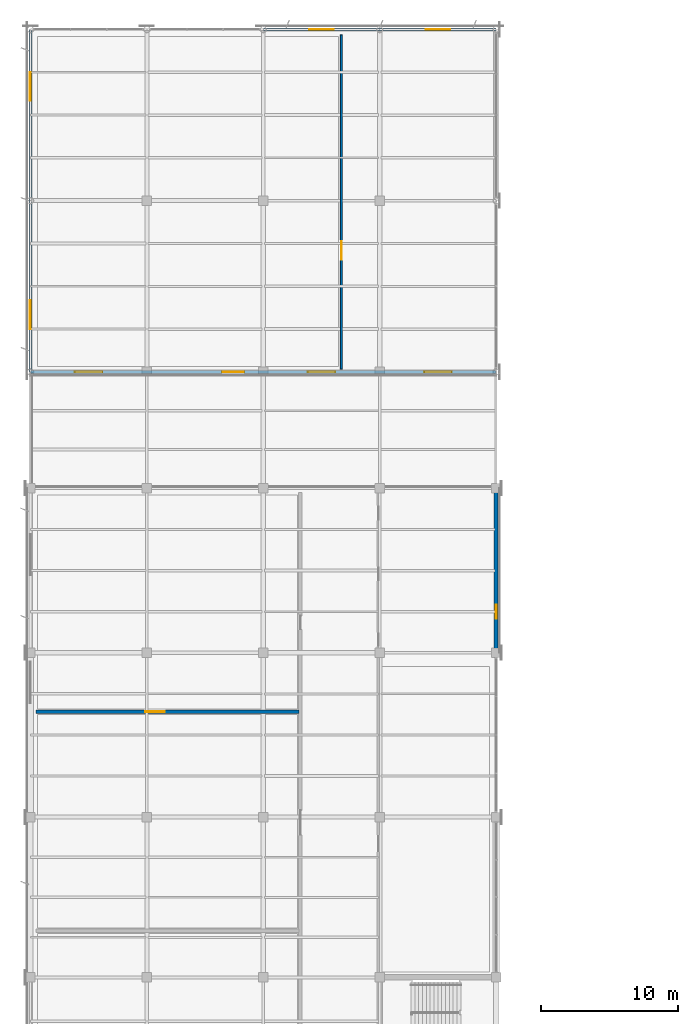
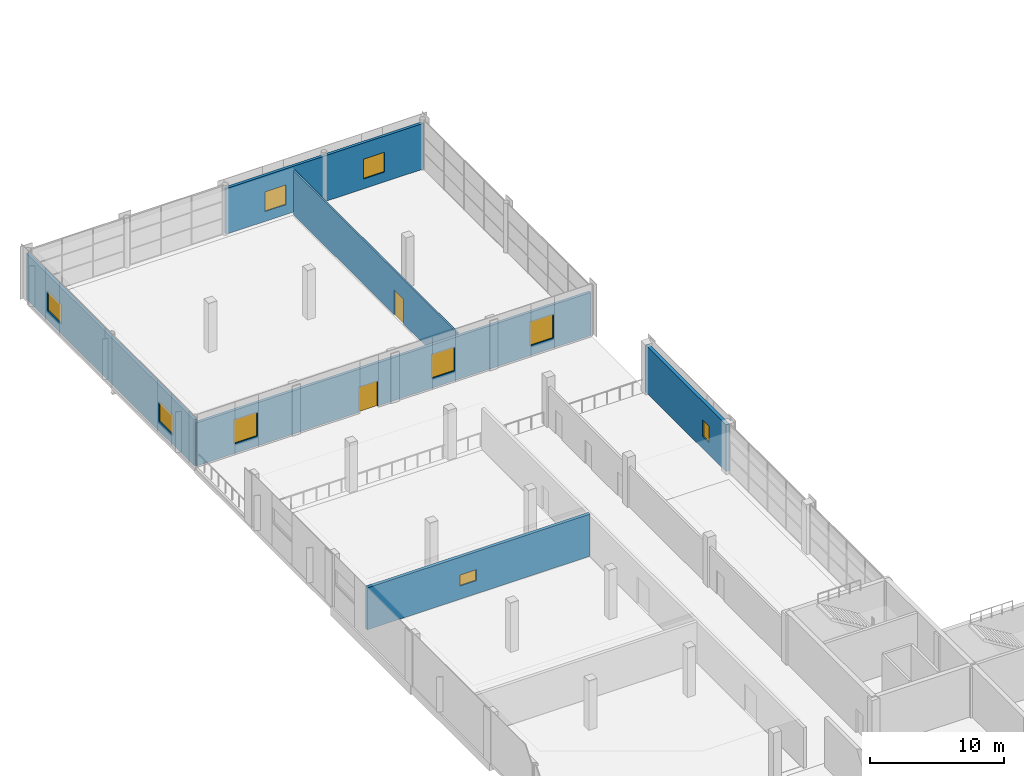
# One storey, part 85 of 101: 9 windows, 6 walls, 2 doors, 11 openings.
"""IFC4 building model written with IfcOpenShell, lengths in metres."""

from ifc_helpers import new_model, si_unit, direction, frame, frame_2d, origin, place, context, subcontext, project, spatial, rectangle, extrude, material, layer, layer_set, type_object, element, fill, save


model = new_model("IFC4")

# Units and contexts
model_context = context("Model", 3, precision=1e-05, world=origin(), true_north=direction((0.0, 1.0)))
body_context = subcontext(model_context, "Body", "Model", "MODEL_VIEW")
ifc_project = project(units=[si_unit("LENGTHUNIT", "METRE"), si_unit("AREAUNIT", "SQUARE_METRE"), si_unit("VOLUMEUNIT", "CUBIC_METRE"), si_unit("PLANEANGLEUNIT", "RADIAN"), si_unit("MASSUNIT", "GRAM", prefix="KILO")], contexts=[model_context])

# Site, building, storey
site_placement = place(None, origin())
site = spatial("IfcSite", under=ifc_project, at=site_placement, CompositionType="ELEMENT")
building_placement = place(site_placement, origin())
building = spatial("IfcBuilding", under=site, at=building_placement, Name="Solvikara Media Centre", CompositionType="ELEMENT")
storey_placement = place(building_placement, frame((0.0, 0.0, 10.199951171875)))
storey = spatial("IfcBuildingStorey", under=building, at=storey_placement, Name="L02", CompositionType="ELEMENT", Elevation=10.199951171875)

# Wall, opening, window
ifc_material_1 = material(Name="Precast concrete fc' 40 MPa (C40/50)", Category="concrete")
ifc_layer_1 = layer(ifc_material_1, 0.2900390625)
ifc_layer_set_1 = layer_set([ifc_layer_1], Name="Precast concrete fc' 40 MPa (C40/50)")
wall_type_1 = type_object("IfcWallType", Name="WT-11", PredefinedType="STANDARD", material=ifc_layer_set_1)
wall_1_placement = place(storey_placement, frame((34.0, 68.5, 0.0), z_axis=(0.0, 0.0, 1.0), x_axis=(0.0, 1.0, 0.0)))
wall_1 = element("IfcWall", 1, at=wall_1_placement, inside=storey, type_object=wall_type_1, Name="EW-L02-V4-E", PredefinedType="STANDARD", context=body_context, shape_type="SweptSolid", body=[
    extrude(rectangle(XDim=12.0, YDim=0.2900390625, at=frame_2d((6.0, 0.0))), origin(), (0.0, 0.0, 1.0), 4.278076171875),
])
opening_1_placement = place(wall_1_placement, frame((2.5, 0.0, 1.10009765625)))
opening_1 = element("IfcOpeningElement", 2, at=opening_1_placement, cuts=wall_1, Name="Opening W-L02-V4E-W01", PredefinedType="OPENING", context=body_context, shape_type="SweptSolid", body=[
    extrude(rectangle(XDim=1.0, YDim=1.5, at=frame_2d((0.5, 0.75))), frame((0.0, 0.156982421875, 0.0), z_axis=(0.0, -1.0, 0.0), x_axis=(1.0, 0.0, 0.0)), (0.0, 0.0, 1.0), 0.31396484375),
])
ifc_material_2 = material(Name="Double-glazed low-E architectural glass", Category="glass")
window_type_1 = type_object("IfcWindowType", Name="WN-11", PartitioningType="SINGLE_PANEL", PredefinedType="WINDOW", material=ifc_material_2)
window_1_placement = place(opening_1_placement, origin())
window_1 = element("IfcWindow", 3, at=window_1_placement, inside=storey, type_object=window_type_1, Name="W-L02-V4E-W01", OverallHeight=1.5, OverallWidth=1.0, PartitioningType="SINGLE_PANEL", PredefinedType="WINDOW", context=body_context, shape_type="SweptSolid", body=[
    extrude(rectangle(XDim=1.0, YDim=1.5, at=frame_2d((0.5, 0.75))), frame((0.0, 0.030029296875, 0.0), z_axis=(0.0, -1.0, 0.0), x_axis=(1.0, 0.0, 0.0)), (0.0, 0.0, 1.0), 0.06005859375),
])
fill(opening_1, window_1)

# Wall, openings, windows
ifc_layer_2 = layer(ifc_material_1, 0.239990234375)
ifc_layer_set_2 = layer_set([ifc_layer_2], Name="Precast concrete fc' 40 MPa (C40/50)")
wall_type_2 = type_object("IfcWallType", Name="WT-13", PredefinedType="STANDARD", material=ifc_layer_set_2)
wall_2_placement = place(storey_placement, frame((0.0, 89.0, 0.0), z_axis=(0.0, 0.0, 1.0), x_axis=(0.0, 1.0, 0.0)))
wall_2 = element("IfcWall", 4, at=wall_2_placement, inside=storey, type_object=wall_type_2, Name="EW-L02-V3-W", PredefinedType="STANDARD", context=body_context, shape_type="SweptSolid", body=[
    extrude(rectangle(XDim=25.0, YDim=0.239990234375, at=frame_2d((12.5, 0.0))), origin(), (0.0, 0.0, 1.0), 4.197998046875),
])
opening_2_placement = place(wall_2_placement, frame((3.116943359375, 0.0, 0.89990234375)))
opening_2 = element("IfcOpeningElement", 5, at=opening_2_placement, cuts=wall_2, Name="Opening W-L02-V3W-W01", PredefinedType="OPENING", context=body_context, shape_type="SweptSolid", body=[
    extrude(rectangle(XDim=2.10009765625, YDim=1.800048828125, at=frame_2d((1.050048828125, 0.89990234375))), frame((0.0, 0.1318359375, 0.0), z_axis=(0.0, -1.0, 0.0), x_axis=(1.0, 0.0, 0.0)), (0.0, 0.0, 1.0), 0.263916015625),
])
opening_3_placement = place(wall_2_placement, frame((19.782958984375, 0.0, 0.89990234375)))
opening_3 = element("IfcOpeningElement", 6, at=opening_3_placement, cuts=wall_2, Name="Opening W-L02-V3W-W03", PredefinedType="OPENING", context=body_context, shape_type="SweptSolid", body=[
    extrude(rectangle(XDim=2.10009765625, YDim=1.800048828125, at=frame_2d((1.050048828125, 0.89990234375))), frame((0.0, 0.1318359375, 0.0), z_axis=(0.0, -1.0, 0.0), x_axis=(1.0, 0.0, 0.0)), (0.0, 0.0, 1.0), 0.263916015625),
])
window_type_2 = type_object("IfcWindowType", Name="WN-04", PartitioningType="SINGLE_PANEL", PredefinedType="WINDOW", material=ifc_material_2)
window_2_placement = place(opening_2_placement, origin())
window_2 = element("IfcWindow", 7, at=window_2_placement, inside=storey, type_object=window_type_2, Name="W-L02-V3W-W01", OverallHeight=1.800048828125, OverallWidth=2.10009765625, PartitioningType="SINGLE_PANEL", PredefinedType="WINDOW", context=body_context, shape_type="SweptSolid", body=[
    extrude(rectangle(XDim=2.10009765625, YDim=1.800048828125, at=frame_2d((1.050048828125, 0.89990234375))), frame((0.0, 0.030029296875, 0.0), z_axis=(0.0, -1.0, 0.0), x_axis=(1.0, 0.0, 0.0)), (0.0, 0.0, 1.0), 0.06005859375),
])
fill(opening_2, window_2)
window_3_placement = place(opening_3_placement, origin())
window_3 = element("IfcWindow", 8, at=window_3_placement, inside=storey, type_object=window_type_2, Name="W-L02-V3W-W03", OverallHeight=1.800048828125, OverallWidth=2.10009765625, PartitioningType="SINGLE_PANEL", PredefinedType="WINDOW", context=body_context, shape_type="SweptSolid", body=[
    extrude(rectangle(XDim=2.10009765625, YDim=1.800048828125, at=frame_2d((1.050048828125, 0.89990234375))), frame((0.0, 0.030029296875, 0.0), z_axis=(0.0, -1.0, 0.0), x_axis=(1.0, 0.0, 0.0)), (0.0, 0.0, 1.0), 0.06005859375),
])
fill(opening_3, window_3)

wall_3_placement = place(storey_placement, frame((17.0, 114.0, 0.0), z_axis=(0.0, 0.0, 1.0), x_axis=(1.0, 0.0, 0.0)))
wall_3 = element("IfcWall", 9, at=wall_3_placement, inside=storey, type_object=wall_type_2, Name="EW-L02-V3-N", PredefinedType="STANDARD", context=body_context, shape_type="SweptSolid", body=[
    extrude(rectangle(XDim=17.0, YDim=0.239990234375, at=frame_2d((8.5, 0.0))), origin(), (0.0, 0.0, 1.0), 4.16796875),
])
opening_4_placement = place(wall_3_placement, frame((3.35009765625, 0.0, 0.89990234375)))
opening_4 = element("IfcOpeningElement", 10, at=opening_4_placement, cuts=wall_3, Name="Opening W-L02-V3N-W01", PredefinedType="OPENING", context=body_context, shape_type="SweptSolid", body=[
    extrude(rectangle(XDim=1.800048828125, YDim=1.800048828125, at=frame_2d((0.89990234375, 0.89990234375))), frame((0.0, 0.1318359375, 0.0), z_axis=(0.0, -1.0, 0.0), x_axis=(1.0, 0.0, 0.0)), (0.0, 0.0, 1.0), 0.263916015625),
])
opening_5_placement = place(wall_3_placement, frame((11.85009765625, 0.0, 0.89990234375)))
opening_5 = element("IfcOpeningElement", 11, at=opening_5_placement, cuts=wall_3, Name="Opening W-L02-V3N-W02", PredefinedType="OPENING", context=body_context, shape_type="SweptSolid", body=[
    extrude(rectangle(XDim=1.800048828125, YDim=1.800048828125, at=frame_2d((0.89990234375, 0.89990234375))), frame((0.0, 0.1318359375, 0.0), z_axis=(0.0, -1.0, 0.0), x_axis=(1.0, 0.0, 0.0)), (0.0, 0.0, 1.0), 0.263916015625),
])
window_type_3 = type_object("IfcWindowType", Name="WN-03", PartitioningType="SINGLE_PANEL", PredefinedType="WINDOW", material=ifc_material_2)
window_4_placement = place(opening_4_placement, origin())
window_4 = element("IfcWindow", 12, at=window_4_placement, inside=storey, type_object=window_type_3, Name="W-L02-V3N-W01", OverallHeight=1.800048828125, OverallWidth=1.800048828125, PartitioningType="SINGLE_PANEL", PredefinedType="WINDOW", context=body_context, shape_type="SweptSolid", body=[
    extrude(rectangle(XDim=1.800048828125, YDim=1.800048828125, at=frame_2d((0.89990234375, 0.89990234375))), frame((0.0, 0.030029296875, 0.0), z_axis=(0.0, -1.0, 0.0), x_axis=(1.0, 0.0, 0.0)), (0.0, 0.0, 1.0), 0.06005859375),
])
fill(opening_4, window_4)
window_5_placement = place(opening_5_placement, origin())
window_5 = element("IfcWindow", 13, at=window_5_placement, inside=storey, type_object=window_type_3, Name="W-L02-V3N-W02", OverallHeight=1.800048828125, OverallWidth=1.800048828125, PartitioningType="SINGLE_PANEL", PredefinedType="WINDOW", context=body_context, shape_type="SweptSolid", body=[
    extrude(rectangle(XDim=1.800048828125, YDim=1.800048828125, at=frame_2d((0.89990234375, 0.89990234375))), frame((0.0, 0.030029296875, 0.0), z_axis=(0.0, -1.0, 0.0), x_axis=(1.0, 0.0, 0.0)), (0.0, 0.0, 1.0), 0.06005859375),
])
fill(opening_5, window_5)

# Wall, openings, door, windows
wall_4_placement = place(storey_placement, frame((0.0, 89.0, 0.0), z_axis=(0.0, 0.0, 1.0), x_axis=(1.0, 0.0, 0.0)))
wall_4 = element("IfcWall", 14, at=wall_4_placement, inside=storey, type_object=wall_type_2, Name="EW-L02-V3-TER", PredefinedType="STANDARD", context=body_context, shape_type="SweptSolid", body=[
    extrude(rectangle(XDim=34.0, YDim=0.239990234375, at=frame_2d((17.0, 0.0))), origin(), (0.0, 0.0, 1.0), 3.929931640625),
])
opening_6_placement = place(wall_4_placement, frame((14.0, 0.0, 0.0)))
opening_6 = element("IfcOpeningElement", 15, at=opening_6_placement, cuts=wall_4, Name="Opening TD-L02-V3", PredefinedType="OPENING", context=body_context, shape_type="SweptSolid", body=[
    extrude(rectangle(XDim=1.60009765625, YDim=2.300048828125, at=frame_2d((0.800048828125, 1.14990234375))), frame((0.0, 0.1318359375, 0.0), z_axis=(0.0, -1.0, 0.0), x_axis=(1.0, 0.0, 0.0)), (0.0, 0.0, 1.0), 0.263916015625),
])
opening_7_placement = place(wall_4_placement, frame((3.25, 0.0, 0.89990234375)))
opening_7 = element("IfcOpeningElement", 16, at=opening_7_placement, cuts=wall_4, Name="Opening W-L02-V3S-W01", PredefinedType="OPENING", context=body_context, shape_type="SweptSolid", body=[
    extrude(rectangle(XDim=2.0, YDim=2.199951171875, at=frame_2d((1.0, 1.10009765625))), frame((0.0, 0.1318359375, 0.0), z_axis=(0.0, -1.0, 0.0), x_axis=(1.0, 0.0, 0.0)), (0.0, 0.0, 1.0), 0.263916015625),
])
opening_8_placement = place(wall_4_placement, frame((20.25, 0.0, 0.89990234375)))
opening_8 = element("IfcOpeningElement", 17, at=opening_8_placement, cuts=wall_4, Name="Opening W-L02-V3S-W03", PredefinedType="OPENING", context=body_context, shape_type="SweptSolid", body=[
    extrude(rectangle(XDim=2.0, YDim=2.199951171875, at=frame_2d((1.0, 1.10009765625))), frame((0.0, 0.1318359375, 0.0), z_axis=(0.0, -1.0, 0.0), x_axis=(1.0, 0.0, 0.0)), (0.0, 0.0, 1.0), 0.263916015625),
])
opening_9_placement = place(wall_4_placement, frame((28.75, 0.0, 0.89990234375)))
opening_9 = element("IfcOpeningElement", 18, at=opening_9_placement, cuts=wall_4, Name="Opening W-L02-V3S-W04", PredefinedType="OPENING", context=body_context, shape_type="SweptSolid", body=[
    extrude(rectangle(XDim=2.0, YDim=2.199951171875, at=frame_2d((1.0, 1.10009765625))), frame((0.0, 0.1318359375, 0.0), z_axis=(0.0, -1.0, 0.0), x_axis=(1.0, 0.0, 0.0)), (0.0, 0.0, 1.0), 0.263916015625),
])
ifc_material_3 = material(Name="Anodised aluminium EN AW-6063", Category="aluminium")
door_type_1 = type_object("IfcDoorType", Name="DT-04", OperationType="DOUBLE_DOOR_SINGLE_SWING", PredefinedType="DOOR", material=ifc_material_3)
door_1_placement = place(opening_6_placement, frame((1.60009765625, 0.0, 0.0), z_axis=(0.0, 0.0, 1.0), x_axis=(-1.0, 0.0, 0.0)))
door_1 = element("IfcDoor", 19, at=door_1_placement, inside=storey, type_object=door_type_1, Name="TD-L02-V3", OperationType="DOUBLE_DOOR_SINGLE_SWING", OverallHeight=2.300048828125, OverallWidth=1.60009765625, PredefinedType="DOOR", context=body_context, shape_type="SweptSolid", body=[
    extrude(rectangle(XDim=1.60009765625, YDim=2.300048828125, at=frame_2d((0.800048828125, 1.14990234375))), frame((0.0, 0.02490234375, 0.0), z_axis=(0.0, -1.0, 0.0), x_axis=(1.0, 0.0, 0.0)), (0.0, 0.0, 1.0), 0.050048828125),
])
fill(opening_6, door_1)
window_type_4 = type_object("IfcWindowType", Name="WN-08", PartitioningType="SINGLE_PANEL", PredefinedType="WINDOW", material=ifc_material_2)
window_6_placement = place(opening_7_placement, origin())
window_6 = element("IfcWindow", 20, at=window_6_placement, inside=storey, type_object=window_type_4, Name="W-L02-V3S-W01", OverallHeight=2.199951171875, OverallWidth=2.0, PartitioningType="SINGLE_PANEL", PredefinedType="WINDOW", context=body_context, shape_type="SweptSolid", body=[
    extrude(rectangle(XDim=2.0, YDim=2.199951171875, at=frame_2d((1.0, 1.10009765625))), frame((0.0, 0.030029296875, 0.0), z_axis=(0.0, -1.0, 0.0), x_axis=(1.0, 0.0, 0.0)), (0.0, 0.0, 1.0), 0.06005859375),
])
fill(opening_7, window_6)
window_7_placement = place(opening_8_placement, origin())
window_7 = element("IfcWindow", 21, at=window_7_placement, inside=storey, type_object=window_type_4, Name="W-L02-V3S-W03", OverallHeight=2.199951171875, OverallWidth=2.0, PartitioningType="SINGLE_PANEL", PredefinedType="WINDOW", context=body_context, shape_type="SweptSolid", body=[
    extrude(rectangle(XDim=2.0, YDim=2.199951171875, at=frame_2d((1.0, 1.10009765625))), frame((0.0, 0.030029296875, 0.0), z_axis=(0.0, -1.0, 0.0), x_axis=(1.0, 0.0, 0.0)), (0.0, 0.0, 1.0), 0.06005859375),
])
fill(opening_8, window_7)
window_8_placement = place(opening_9_placement, origin())
window_8 = element("IfcWindow", 22, at=window_8_placement, inside=storey, type_object=window_type_4, Name="W-L02-V3S-W04", OverallHeight=2.199951171875, OverallWidth=2.0, PartitioningType="SINGLE_PANEL", PredefinedType="WINDOW", context=body_context, shape_type="SweptSolid", body=[
    extrude(rectangle(XDim=2.0, YDim=2.199951171875, at=frame_2d((1.0, 1.10009765625))), frame((0.0, 0.030029296875, 0.0), z_axis=(0.0, -1.0, 0.0), x_axis=(1.0, 0.0, 0.0)), (0.0, 0.0, 1.0), 0.06005859375),
])
fill(opening_9, window_8)

# Wall, opening, window
ifc_material_4 = material(Name="Double-stud acoustic gypsum partition assembly")
ifc_layer_3 = layer(ifc_material_4, 0.27001953125)
ifc_layer_set_3 = layer_set([ifc_layer_3], Name="Double-stud acoustic gypsum partition assembly")
wall_type_3 = type_object("IfcWallType", Name="WT-16", PredefinedType="PARTITIONING", material=ifc_layer_set_3)
wall_5_placement = place(storey_placement, frame((0.39990234375, 64.199951171875, 0.0), z_axis=(0.0, 0.0, 1.0), x_axis=(1.0, 0.0, 0.0)))
wall_5 = element("IfcWall", 23, at=wall_5_placement, inside=storey, type_object=wall_type_3, Name="PW-L02-062", PredefinedType="PARTITIONING", context=body_context, shape_type="SweptSolid", body=[
    extrude(rectangle(XDim=19.2001953125, YDim=0.27001953125, at=frame_2d((9.60009765625, 0.0))), origin(), (0.0, 0.0, 1.0), 3.828125),
])
opening_10_placement = place(wall_5_placement, frame((8.0, 0.0, 1.199951171875)))
opening_10 = element("IfcOpeningElement", 24, at=opening_10_placement, cuts=wall_5, Name="Opening WI-L02-062-1", PredefinedType="OPENING", context=body_context, shape_type="SweptSolid", body=[
    extrude(rectangle(XDim=1.39990234375, YDim=1.0, at=frame_2d((0.699951171875, 0.5))), frame((0.0, 0.14697265625, 0.0), z_axis=(0.0, -1.0, 0.0), x_axis=(1.0, 0.0, 0.0)), (0.0, 0.0, 1.0), 0.2939453125),
])
window_type_5 = type_object("IfcWindowType", Name="WN-15", PartitioningType="SINGLE_PANEL", PredefinedType="WINDOW", material=ifc_material_2)
window_9_placement = place(opening_10_placement, origin())
window_9 = element("IfcWindow", 25, at=window_9_placement, inside=storey, type_object=window_type_5, Name="WI-L02-062-1", OverallHeight=1.0, OverallWidth=1.39990234375, PartitioningType="SINGLE_PANEL", PredefinedType="WINDOW", context=body_context, shape_type="SweptSolid", body=[
    extrude(rectangle(XDim=1.39990234375, YDim=1.0, at=frame_2d((0.699951171875, 0.5))), frame((0.0, 0.030029296875, 0.0), z_axis=(0.0, -1.0, 0.0), x_axis=(1.0, 0.0, 0.0)), (0.0, 0.0, 1.0), 0.06005859375),
])
fill(opening_10, window_9)

# Wall, opening, door
ifc_layer_4 = layer(ifc_material_4, 0.139892578125)
ifc_layer_set_4 = layer_set([ifc_layer_4], Name="Double-stud acoustic gypsum partition assembly")
wall_type_4 = type_object("IfcWallType", Name="WT-20", PredefinedType="PARTITIONING", material=ifc_layer_set_4)
wall_6_placement = place(storey_placement, frame((22.699951171875, 89.199951171875, 0.0), z_axis=(0.0, 0.0, 1.0), x_axis=(0.0, 1.0, 0.0)))
wall_6 = element("IfcWall", 26, at=wall_6_placement, inside=storey, type_object=wall_type_4, Name="PW-L02-064", PredefinedType="PARTITIONING", context=body_context, shape_type="SweptSolid", body=[
    extrude(rectangle(XDim=24.400146484375, YDim=0.139892578125, at=frame_2d((12.2001953125, 0.0))), origin(), (0.0, 0.0, 1.0), 4.02197265625),
])
opening_11_placement = place(wall_6_placement, frame((8.0, 0.0, 0.0)))
opening_11 = element("IfcOpeningElement", 27, at=opening_11_placement, cuts=wall_6, Name="Opening D-L02-064-1", PredefinedType="OPENING", context=body_context, shape_type="SweptSolid", body=[
    extrude(rectangle(XDim=1.35009765625, YDim=2.25, at=frame_2d((0.675048828125, 1.125))), frame((0.0, 0.08203125, 0.0), z_axis=(0.0, -1.0, 0.0), x_axis=(1.0, 0.0, 0.0)), (0.0, 0.0, 1.0), 0.163818359375),
])
door_type_2 = type_object("IfcDoorType", Name="DT-20", OperationType="DOUBLE_DOOR_SINGLE_SWING", PredefinedType="DOOR", material=ifc_material_3)
door_2_placement = place(opening_11_placement, origin())
door_2 = element("IfcDoor", 28, at=door_2_placement, inside=storey, type_object=door_type_2, Name="D-L02-064-1", OperationType="DOUBLE_DOOR_SINGLE_SWING", OverallHeight=2.25, OverallWidth=1.35009765625, PredefinedType="DOOR", context=body_context, shape_type="SweptSolid", body=[
    extrude(rectangle(XDim=1.35009765625, YDim=2.25, at=frame_2d((0.675048828125, 1.125))), frame((0.0, 0.02490234375, 0.0), z_axis=(0.0, -1.0, 0.0), x_axis=(1.0, 0.0, 0.0)), (0.0, 0.0, 1.0), 0.050048828125),
])
fill(opening_11, door_2)

save(model, "model.ifc")
